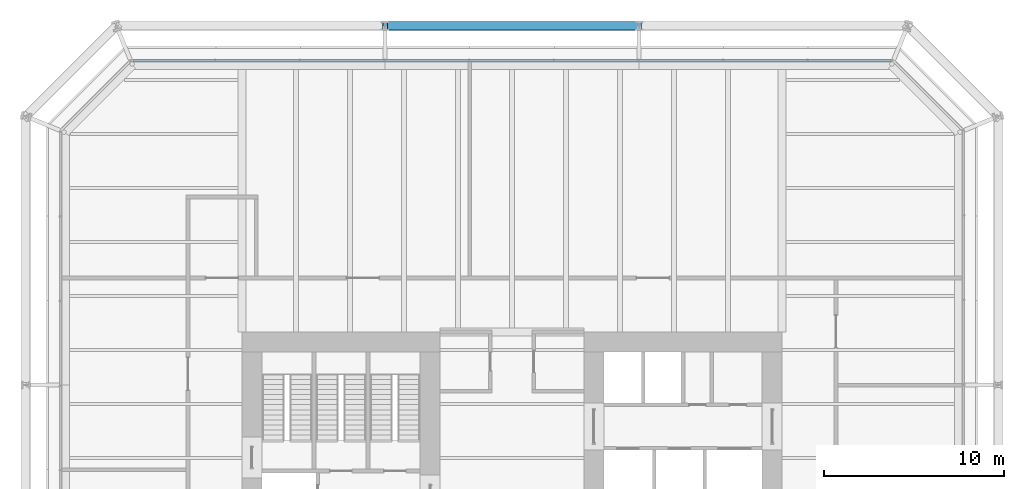
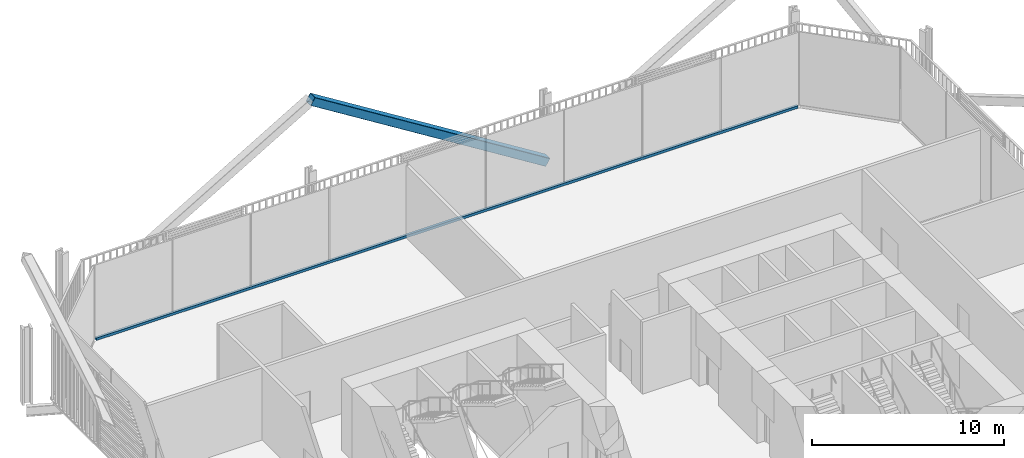
# One storey, part 15 of 22: 2 members, 1 element without a shape of its own.
"""IFC4 building model written with IfcOpenShell, lengths in metres."""

import ifcopenshell
import ifcopenshell.guid

model = None  # the IFC model being written
_history = None  # IfcOwnerHistory: only IFC2X3 demands one
_inside = {}  # id of a spatial element -> (the spatial element, [elements in it])
_under = {}  # id of a project, library or spatial element -> (it, [spatial elements below it])
_declared = {}  # id of a project -> (the project, [libraries it declares])
_typed = {}  # id of a type object -> (the type object, [elements of that type])
_made_of = {}  # id of a material, layer set ... -> (it, [elements and type objects made of it])


def new_model(schema):
    """Start an empty IFC model of exactly this schema.

    Asked for "IFC4X3", IfcOpenShell would pick the latest addendum, in which some entities
    have other attributes; the version numbers below select the first issue.
    IFC2X3 requires an IfcOwnerHistory on every rooted entity: one is made here for all.
    """
    global model, _history
    if schema == "IFC4X3":
        model = ifcopenshell.file(schema_version=(4, 3, 0, 0))
    else:
        model = ifcopenshell.file(schema=schema)
    _inside.clear()
    _under.clear()
    _declared.clear()
    _typed.clear()
    _made_of.clear()
    _history = None
    if model.schema == "IFC2X3":
        org = make("IfcOrganization", Name="unknown")
        user = make(
            "IfcPersonAndOrganization",
            ThePerson=make("IfcPerson", FamilyName="unknown"),
            TheOrganization=org,
        )
        app = make(
            "IfcApplication",
            ApplicationDeveloper=org,
            Version="unknown",
            ApplicationFullName="unknown",
            ApplicationIdentifier="unknown",
        )
        _history = make(
            "IfcOwnerHistory",
            OwningUser=user,
            OwningApplication=app,
            ChangeAction="ADDED",
            CreationDate=0,
        )
    return model


def make(cls, **values):
    """One entity of the class cls with the attributes given. An attribute that is None is left unset."""
    return model.create_entity(
        cls, **{name: value for name, value in values.items() if value is not None}
    )


def rooted(cls, **values):
    """An entity with a GlobalId (a new one), such as an element, a storey or a relation."""
    return make(cls, GlobalId=ifcopenshell.guid.new(), OwnerHistory=_history, **values)


def si_unit(unit_type, name, prefix=None):
    """IfcSIUnit, for example si_unit("LENGTHUNIT", "METRE", prefix="MILLI")."""
    return make("IfcSIUnit", UnitType=unit_type, Prefix=prefix, Name=name)


def assignment(units):
    """IfcUnitAssignment: the units of a project."""
    return None if units is None else make("IfcUnitAssignment", Units=units)


def point(xyz):
    """IfcCartesianPoint."""
    return None if xyz is None else make("IfcCartesianPoint", Coordinates=xyz)


def direction(xyz):
    """IfcDirection."""
    return None if xyz is None else make("IfcDirection", DirectionRatios=xyz)


def frame(location, z_axis=None, x_axis=None):
    """IfcAxis2Placement3D, a coordinate frame: its origin and axes. An axis left out is left unset."""
    return make(
        "IfcAxis2Placement3D",
        Location=point(location),
        Axis=direction(z_axis),
        RefDirection=direction(x_axis),
    )


def frame_2d(location, x_axis=None):
    """IfcAxis2Placement2D, a coordinate frame in the plane: its origin and x axis."""
    return make(
        "IfcAxis2Placement2D", Location=point(location), RefDirection=direction(x_axis)
    )


def origin():
    """The frame at (0, 0, 0) with its axes left unset."""
    return frame((0.0, 0.0, 0.0))


def origin_2d():
    """The frame at (0, 0) in the plane with its x axis left unset."""
    return frame_2d((0.0, 0.0))


def place(relative_to, where):
    """IfcLocalPlacement: puts the frame where relative to a parent placement (None: the world)."""
    return make(
        "IfcLocalPlacement", PlacementRelTo=relative_to, RelativePlacement=where
    )


def context(
    kind, dimensions, precision=None, world=None, true_north=None, identifier=None
):
    """IfcGeometricRepresentationContext, for example the 3D "Model" context."""
    return make(
        "IfcGeometricRepresentationContext",
        ContextIdentifier=identifier,
        ContextType=kind,
        CoordinateSpaceDimension=dimensions,
        Precision=precision,
        WorldCoordinateSystem=world,
        TrueNorth=true_north,
    )


def subcontext(parent, identifier, kind, view, scale=None):
    """IfcGeometricRepresentationSubContext, for example "Body" below "Model"."""
    return make(
        "IfcGeometricRepresentationSubContext",
        ContextIdentifier=identifier,
        ContextType=kind,
        ParentContext=parent,
        TargetScale=scale,
        TargetView=view,
    )


def project(units=None, contexts=None):
    """IfcProject with its units and contexts."""
    return rooted(
        "IfcProject",
        Name="project",
        RepresentationContexts=contexts,
        UnitsInContext=assignment(units),
    )


def spatial(cls, under=None, at=None, **own):
    """A site, building, storey or space (cls), placed at a placement, below another one or the project."""
    s = rooted(cls, ObjectPlacement=at, **own)
    if under is not None:
        _under.setdefault(under.id(), (under, []))[1].append(s)
    return s


def profile(cls, at=None, kind="AREA", **sizes):
    """A parametric profile (cls). Its sizes go by their IFC names, for example OverallWidth=200.0."""
    return make(cls, ProfileType=kind, Position=at, **sizes)


def rectangle(**sizes):
    """IfcRectangleProfileDef."""
    return profile("IfcRectangleProfileDef", **sizes)


def hollow_rectangle(**sizes):
    """IfcRectangleHollowProfileDef."""
    return profile("IfcRectangleHollowProfileDef", **sizes)


def extrude(swept, where, along, depth):
    """IfcExtrudedAreaSolid: the profile swept, set in the frame where, extruded along a direction by depth."""
    return make(
        "IfcExtrudedAreaSolid",
        SweptArea=swept,
        Position=where,
        ExtrudedDirection=direction(along),
        Depth=depth,
    )


def shape(context_of_items, identifier, shape_type, items):
    """IfcShapeRepresentation: the items that make up one representation, for example the "Body"."""
    return make(
        "IfcShapeRepresentation",
        ContextOfItems=context_of_items,
        RepresentationIdentifier=identifier,
        RepresentationType=shape_type,
        Items=items,
    )


def material(Name=None, Category=None):
    """IfcMaterial."""
    return make("IfcMaterial", Name=Name, Category=Category)


def layer(
    of_material, thickness, ventilated=None, Name=None, Category=None, Priority=None
):
    """IfcMaterialLayer: one layer of a wall or slab, of a material (None: an air gap)."""
    return make(
        "IfcMaterialLayer",
        Material=of_material,
        LayerThickness=thickness,
        IsVentilated=ventilated,
        Name=Name,
        Category=Category,
        Priority=Priority,
    )


def layer_set(layers, Name=None):
    """IfcMaterialLayerSet."""
    return make("IfcMaterialLayerSet", MaterialLayers=layers, LayerSetName=Name)


def material_profile(
    of_material, cross_section, Name=None, Category=None, Priority=None
):
    """IfcMaterialProfile: a cross section and its material."""
    return make(
        "IfcMaterialProfile",
        Name=Name,
        Material=of_material,
        Profile=cross_section,
        Priority=Priority,
        Category=Category,
    )


def profile_set(profiles, Name=None, composite=None):
    """IfcMaterialProfileSet."""
    return make(
        "IfcMaterialProfileSet",
        Name=Name,
        MaterialProfiles=profiles,
        CompositeProfile=composite,
    )


def made_of(thing, what):
    """Note that an element or type object is made of a material, layer set ...; save() writes the relation."""
    if what is not None:
        _made_of.setdefault(what.id(), (what, []))[1].append(thing)
    return thing


def type_object(cls, material=None, **own):
    """A type object (cls), such as IfcWallType, which elements share."""
    return made_of(rooted(cls, **own), material)


def element(
    cls,
    number,
    at=None,
    inside=None,
    cuts=None,
    type_object=None,
    material=None,
    context=None,
    identifier="Body",
    shape_type=None,
    held_by="IfcProductDefinitionShape",
    body=None,
    shapes=None,
    **own,
):
    """One element of the class cls, such as IfcWall. Its Tag is "e" and its number.

    at: its placement. inside: the storey or other place that contains it. cuts: it is an
    opening in that element (IfcRelVoidsElement). A single representation is given by context,
    identifier, shape_type and body (its items); several are given by shapes. held_by: the class
    of the entity that holds the representations. save() writes the other relations.
    """
    e = rooted(cls, Tag="e%d" % number, ObjectPlacement=at, **own)
    if body is not None:
        shapes = [shape(context, identifier, shape_type, body)]
    if shapes is not None:
        e.Representation = make(held_by, Representations=shapes)
    if inside is not None:
        _inside.setdefault(inside.id(), (inside, []))[1].append(e)
    if cuts is not None:
        rooted(
            "IfcRelVoidsElement", RelatingBuildingElement=cuts, RelatedOpeningElement=e
        )
    if type_object is not None:
        _typed.setdefault(type_object.id(), (type_object, []))[1].append(e)
    return made_of(e, material)


def aggregate(whole, parts):
    """IfcRelAggregates: a whole, such as a stair, and the parts it consists of."""
    return rooted("IfcRelAggregates", RelatingObject=whole, RelatedObjects=parts)


def save(model, path):
    """Write the relations noted so far, then the file.

    IfcRelAggregates (storeys below a building ...), IfcRelContainedInSpatialStructure (elements
    in a storey), IfcRelDefinesByType, IfcRelAssociatesMaterial and IfcRelDeclares: one each for
    every whole, place, type object, material and project.
    """
    for whole, parts in _under.values():
        aggregate(whole, parts)
    for where, things in _inside.values():
        rooted(
            "IfcRelContainedInSpatialStructure",
            RelatedElements=things,
            RelatingStructure=where,
        )
    for kind, things in _typed.values():
        rooted("IfcRelDefinesByType", RelatedObjects=things, RelatingType=kind)
    for what, things in _made_of.values():
        rooted("IfcRelAssociatesMaterial", RelatedObjects=things, RelatingMaterial=what)
    for by, libraries in _declared.values():
        rooted("IfcRelDeclares", RelatingContext=by, RelatedDefinitions=libraries)
    model.write(path)


model = new_model("IFC4")

# Units and contexts
model_context = context("Model", 3, precision=1e-05, world=origin(), true_north=direction((0.0, 1.0)))
body_context = subcontext(model_context, "Body", "Model", "MODEL_VIEW")
ifc_project = project(units=[si_unit("LENGTHUNIT", "METRE"), si_unit("AREAUNIT", "SQUARE_METRE"), si_unit("VOLUMEUNIT", "CUBIC_METRE"), si_unit("PLANEANGLEUNIT", "RADIAN"), si_unit("MASSUNIT", "GRAM", prefix="KILO")], contexts=[model_context])

# Site, building, storey
site_placement = place(None, origin())
site = spatial("IfcSite", under=ifc_project, at=site_placement, CompositionType="ELEMENT")
building_placement = place(site_placement, origin())
building = spatial("IfcBuilding", under=site, at=building_placement, Name="Millrace Tower", CompositionType="ELEMENT")
storey_placement = place(building_placement, frame((0.0, 0.0, 20.89990234375)))
storey = spatial("IfcBuildingStorey", under=building, at=storey_placement, Name="L05", CompositionType="ELEMENT", Elevation=20.89990234375)

# Curtain wall, member
ifc_material_1 = material(Name="Aluminium and glass", Category="aluminium")
ifc_layer = layer(ifc_material_1, 0.14990234375)
ifc_layer_set = layer_set([ifc_layer], Name="Aluminium and glass")
curtain_wall_type = type_object("IfcCurtainWallType", Name="CW-2 data hall insulated curtain wall", PredefinedType="NOTDEFINED", material=ifc_layer_set)
curtain_wall_placement = place(storey_placement, origin())
curtain_wall = element("IfcCurtainWall", 1, at=curtain_wall_placement, inside=storey, type_object=curtain_wall_type, Name="Curtain wall A-F06 L05", PredefinedType="NOTDEFINED")
ifc_material_2 = material(Name="Aluminium", Category="aluminium")
ifc_material_profile_1 = material_profile(ifc_material_2, rectangle(XDim=0.14990234375, YDim=0.159912109375, at=origin_2d()))
ifc_profile_set_1 = profile_set([ifc_material_profile_1], Name="Aluminium")
member_type_1 = type_object("IfcMemberType", Name="CW-2 data hall insulated curtain wall transom", PredefinedType="USERDEFINED", material=ifc_profile_set_1)
member_1_placement = place(storey_placement, frame((21.050048828125, 25.074951171875, 0.080078125), z_axis=(-1.0, 0.0, 0.0), x_axis=(0.0, -1.0, 0.0)))
member_1 = element("IfcMember", 2, at=member_1_placement, type_object=member_type_1, Name="CW2 transom A-F06.1", ObjectType="TRANSOM", PredefinedType="USERDEFINED", context=body_context, shape_type="SweptSolid", body=[
    extrude(rectangle(XDim=0.14990234375, YDim=0.159912109375, at=origin_2d()), origin(), (0.0, 0.0, 1.0), 42.10009765625),
])
aggregate(curtain_wall, [member_1])

# Member
ifc_material_3 = material(Name="Steel ASTM A500 Grade C", Category="steel")
ifc_material_profile_2 = material_profile(ifc_material_3, hollow_rectangle(XDim=0.508056640625, YDim=0.508056640625, WallThickness=0.022216796875, InnerFilletRadius=0.01123046875, OuterFilletRadius=0.033447265625, at=origin_2d()))
ifc_profile_set_2 = profile_set([ifc_material_profile_2], Name="Steel ASTM A500 Grade C")
member_type_2 = type_object("IfcMemberType", Name="Exoskeleton brace HSS20x20x7/8", PredefinedType="BRACE", material=ifc_profile_set_2)
member_2_placement = place(storey_placement, frame((7.050048828125, 27.0, 0.400146484375), z_axis=(-0.848336468551, 0.0, 0.529457492276), x_axis=(0.0, -1.0, 0.0)))
element("IfcMember", 3, at=member_2_placement, inside=storey, type_object=member_type_2, Name="BRC-A-L05-11", PredefinedType="BRACE", context=body_context, shape_type="SweptSolid", body=[
    extrude(hollow_rectangle(XDim=0.508056640625, YDim=0.508056640625, WallThickness=0.022216796875, InnerFilletRadius=0.01123046875, OuterFilletRadius=0.033447265625, at=origin_2d()), origin(), (0.0, 0.0, 1.0), 16.620849609375),
])

save(model, "model.ifc")
